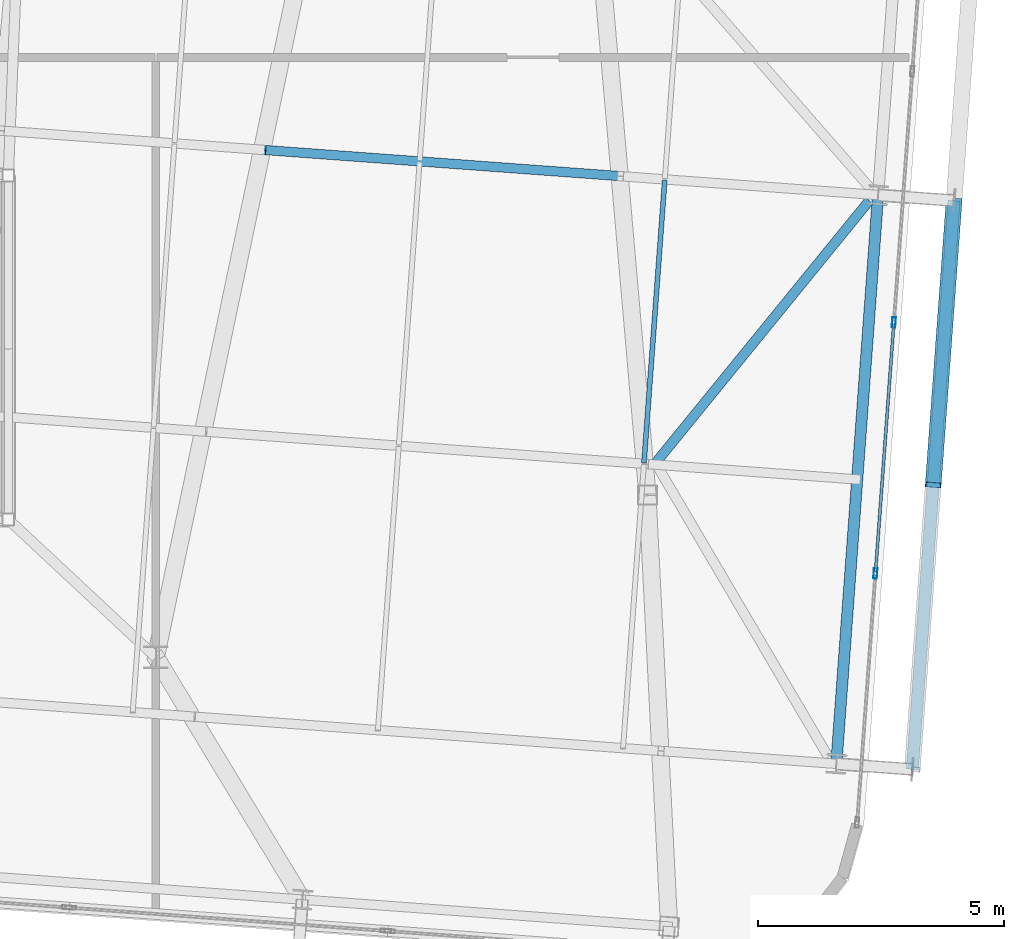
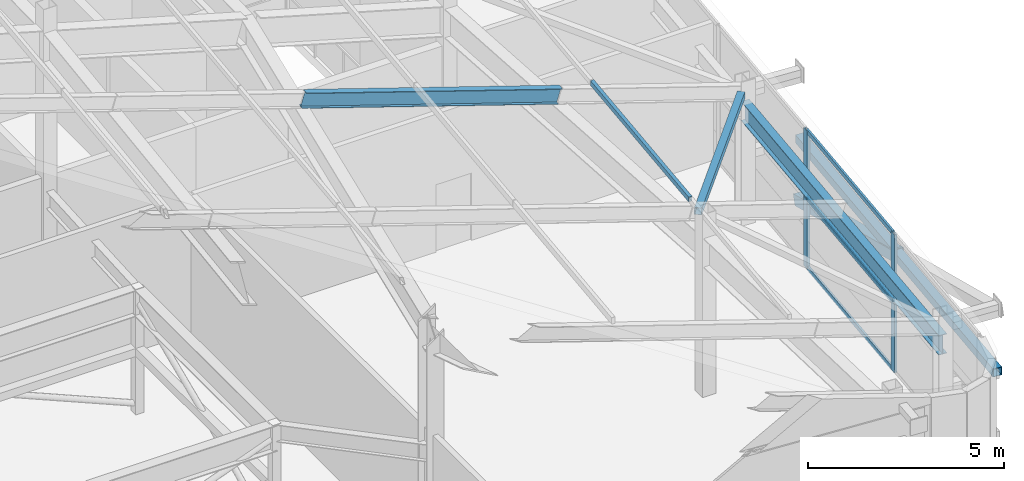
# One storey, part 22 of 56: 13 members, 1 beam, 2 elements without a shape of their own.
"""IFC4 building model written with IfcOpenShell, lengths in metres."""

from ifc_helpers import new_model, si_unit, direction, frame, origin, origin_2d, place, context, subcontext, project, spatial, hollow_rectangle, i_section, extrude, source, transform, mapped, material, layer, layer_set, material_profile, profile_set, type_object, element, aggregate, save


model = new_model("IFC4")

# Units and contexts
model_context = context("Model", 3, precision=1e-05, world=origin(), true_north=direction((0.0, 1.0)))
body_context = subcontext(model_context, "Body", "Model", "MODEL_VIEW")
ifc_project = project(units=[si_unit("LENGTHUNIT", "METRE"), si_unit("AREAUNIT", "SQUARE_METRE"), si_unit("VOLUMEUNIT", "CUBIC_METRE"), si_unit("PLANEANGLEUNIT", "RADIAN"), si_unit("MASSUNIT", "GRAM", prefix="KILO")], contexts=[model_context])

# Site, building, storey
site_placement = place(None, origin())
site = spatial("IfcSite", under=ifc_project, at=site_placement, CompositionType="ELEMENT")
building_placement = place(site_placement, origin())
building = spatial("IfcBuilding", under=site, at=building_placement, Name="Taldren Reach Tower", CompositionType="ELEMENT")
storey_placement = place(building_placement, frame((0.0, 0.0, 253.050048828125)))
storey = spatial("IfcBuildingStorey", under=building, at=storey_placement, Name="L77", CompositionType="ELEMENT", Elevation=253.050048828125)

# Member
ifc_material_1 = material(Name="Steel Gr 350 (C350L0)", Category="steel")
ifc_material_profile_1 = material_profile(ifc_material_1, hollow_rectangle(XDim=0.25, YDim=0.25, WallThickness=0.010009765625, at=origin_2d()), Name="250x250x10.0SHS")
ifc_profile_set_1 = profile_set([ifc_material_profile_1], Name="Steel Gr 350 (C350L0)")
member_type_1 = type_object("IfcMemberType", Name="MB-POST250", PredefinedType="POST", material=ifc_profile_set_1)
shared_shape_1 = source(origin(), body_context, "Body", "SweptSolid", [
    extrude(hollow_rectangle(XDim=0.25, YDim=0.25, WallThickness=0.010009765625, at=origin_2d()), origin(), (0.0, 0.0, 1.0), 11.60009765625),
])
member_1_placement = place(storey_placement, frame((57.3876953125, 6.91748046875, 2.10986328125), z_axis=(0.073221234109, 0.997315722766, 0.0), x_axis=(-0.997315722766, 0.073221234109, 0.0)))
element("IfcMember", 1, at=member_1_placement, inside=storey, type_object=member_type_1, Name="Exoskeleton mid-height ring chord B5-E1 L77", PredefinedType="POST", context=body_context, shape_type="MappedRepresentation", body=[
    mapped(shared_shape_1, transform((0.0, 0.0, 0.0), scale=1.0)),
])

# Beam
ifc_material_2 = material(Name="Steel Gr 350 (350PLUS)", Category="steel")
ifc_material_profile_2 = material_profile(ifc_material_2, i_section(OverallWidth=0.22900390625, OverallDepth=0.612060546875, WebThickness=0.011962890625, FlangeThickness=0.01953125, at=origin_2d()), Name="610UB125")
ifc_profile_set_2 = profile_set([ifc_material_profile_2], Name="Steel Gr 350 (350PLUS)")
beam_type = type_object("IfcBeamType", Name="BM-UB610A", PredefinedType="BEAM", material=ifc_profile_set_2)
shared_shape_2 = source(origin(), body_context, "Body", "SweptSolid", [
    extrude(i_section(OverallWidth=0.22900390625, OverallDepth=0.612060546875, WebThickness=0.011962890625, FlangeThickness=0.01953125, at=origin_2d()), origin(), (0.0, 0.0, 1.0), 11.60009765625),
])
beam_placement = place(storey_placement, frame((55.841796875, 7.031005859375, 3.44287109375), z_axis=(0.073242167855, 0.997314185625, 0.0), x_axis=(-0.997314185625, 0.073242167855, 0.0)))
element("IfcBeam", 2, at=beam_placement, inside=storey, type_object=beam_type, Name="Crown gable header girder E1", PredefinedType="BEAM", context=body_context, shape_type="MappedRepresentation", body=[
    mapped(shared_shape_2, transform((0.0, 0.0, 0.0), scale=1.0)),
])

# Members
ifc_material_profile_3 = material_profile(ifc_material_2, i_section(OverallWidth=0.19091796875, OverallDepth=0.4599609375, WebThickness=0.010009765625, FlangeThickness=0.01611328125, at=origin_2d()), Name="460UB82.1")
ifc_profile_set_3 = profile_set([ifc_material_profile_3], Name="Steel Gr 350 (350PLUS)")
member_type_2 = type_object("IfcMemberType", Name="MB-RAF460", PredefinedType="RAFTER", material=ifc_profile_set_3)
shared_shape_3 = source(origin(), body_context, "Body", "SweptSolid", [
    extrude(i_section(OverallWidth=0.19091796875, OverallDepth=0.4599609375, WebThickness=0.010009765625, FlangeThickness=0.01611328125, at=origin_2d()), origin(), (0.0, 0.0, 1.0), 7.556640625),
])
member_2_placement = place(storey_placement, frame((51.421142578125, 18.98681640625, 5.52685546875), z_axis=(-0.958704329873, 0.070398892458, 0.275553994389), x_axis=(-0.073234107309, -0.997314777554, 0.0)))
element("IfcMember", 3, at=member_2_placement, inside=storey, type_object=member_type_2, Name="Crown sloped rafter RF-3.2", PredefinedType="RAFTER", context=body_context, shape_type="MappedRepresentation", body=[
    mapped(shared_shape_3, transform((0.0, 0.0, 0.0), scale=1.0)),
])
ifc_material_profile_4 = material_profile(ifc_material_1, hollow_rectangle(XDim=0.10009765625, YDim=0.14990234375, WallThickness=0.0048828125, at=origin_2d()), Name="150x100x5.0RHS")
ifc_profile_set_4 = profile_set([ifc_material_profile_4], Name="Steel Gr 350 (C350L0)")
member_type_3 = type_object("IfcMemberType", Name="MB-PUR150", PredefinedType="PURLIN", material=ifc_profile_set_4)
shared_shape_4 = source(origin(), body_context, "Body", "SweptSolid", [
    extrude(hollow_rectangle(XDim=0.10009765625, YDim=0.14990234375, WallThickness=0.0048828125, at=origin_2d()), origin(), (0.0, 0.0, 1.0), 5.769775390625),
])
member_3_placement = place(storey_placement, frame((51.92919921875, 13.14892578125, 5.63525390625), z_axis=(0.073243558698, 0.997314083481, 0.0), x_axis=(-0.997314083481, 0.073243558698, 0.0)))
element("IfcMember", 4, at=member_3_placement, inside=storey, type_object=member_type_3, Name="Crown roof purlin PR-8.2", PredefinedType="PURLIN", context=body_context, shape_type="MappedRepresentation", body=[
    mapped(shared_shape_4, transform((0.0, 0.0, 0.0), scale=1.0)),
])
ifc_material_profile_5 = material_profile(ifc_material_1, hollow_rectangle(XDim=0.199951171875, YDim=0.199951171875, WallThickness=0.009033203125, at=origin_2d()), Name="200x200x9.0SHS")
ifc_profile_set_5 = profile_set([ifc_material_profile_5], Name="Steel Gr 350 (C350L0)")
member_type_4 = type_object("IfcMemberType", Name="BR-ROOF-200", PredefinedType="BRACE", material=ifc_profile_set_5)
shared_shape_5 = source(origin(), body_context, "Body", "SweptSolid", [
    extrude(hollow_rectangle(XDim=0.199951171875, YDim=0.199951171875, WallThickness=0.009033203125, at=origin_2d()), origin(), (0.0, 0.0, 1.0), 6.994140625),
])
member_4_placement = place(storey_placement, frame((56.50146484375, 18.473388671875, 4.0634765625), z_axis=(-0.623300185399, -0.764987878753, 0.162143221392), x_axis=(0.775246534078, -0.631658777664, 0.0)))
element("IfcMember", 5, at=member_4_placement, inside=storey, type_object=member_type_4, Name="Crown sloped roof wind brace RB-2", PredefinedType="BRACE", context=body_context, shape_type="MappedRepresentation", body=[
    mapped(shared_shape_5, transform((0.0, 0.0, 0.0), scale=1.0)),
])
ifc_material_3 = material(Name="Steel Gr 450 (C450L0)", Category="steel")
ifc_material_profile_6 = material_profile(ifc_material_3, hollow_rectangle(XDim=0.324951171875, YDim=0.324951171875, WallThickness=0.0126953125, at=origin_2d()), Name="325x325x12.7SHS")
ifc_profile_set_6 = profile_set([ifc_material_profile_6], Name="Steel Gr 450 (C450L0)")
member_type_5 = type_object("IfcMemberType", Name="MB-BR324", PredefinedType="BRACE", material=ifc_profile_set_6)
shared_shape_6 = source(origin(), body_context, "Body", "SweptSolid", [
    extrude(hollow_rectangle(XDim=0.324951171875, YDim=0.324951171875, WallThickness=0.0126953125, at=origin_2d()), origin(), (0.0, 0.0, 1.0), 6.10009765625),
])
member_5_placement = place(storey_placement, frame((58.237060546875, 18.486328125, 0.219970703125), z_axis=(-0.069638510717, -0.948244387595, 0.309811328425), x_axis=(0.997314185625, -0.073242167855, 0.0)))
element("IfcMember", 6, at=member_5_placement, inside=storey, type_object=member_type_5, Name="Exoskeleton Diagrid Brace B5-E1 L77", PredefinedType="BRACE", context=body_context, shape_type="MappedRepresentation", body=[
    mapped(shared_shape_6, transform((0.0, 0.0, 0.0), scale=1.0)),
])

# Curtain wall, members
ifc_material_4 = material(Name="Aluminium and Low-E Glass Unitised System", Category="aluminium")
ifc_layer = layer(ifc_material_4, 0.159912109375)
ifc_layer_set = layer_set([ifc_layer], Name="Aluminium and Low-E Glass Unitised System")
curtain_wall_type = type_object("IfcCurtainWallType", Name="CW-SYS-8", PredefinedType="NOTDEFINED", material=ifc_layer_set)
curtain_wall_1_placement = place(storey_placement, origin())
curtain_wall_1 = element("IfcCurtainWall", 7, at=curtain_wall_1_placement, inside=storey, type_object=curtain_wall_type, Name="Unitised curtain wall CW8-L77-E", PredefinedType="NOTDEFINED")
ifc_material_5 = material(Name="Anodised Aluminium 6063-T6", Category="aluminium")
ifc_material_profile_7 = material_profile(ifc_material_5, hollow_rectangle(XDim=0.074951171875, YDim=0.2099609375, WallThickness=0.00439453125, at=origin_2d()), Name="ALU-210x75x4.5RHS")
ifc_profile_set_7 = profile_set([ifc_material_profile_7], Name="Anodised Aluminium 6063-T6")
member_type_6 = type_object("IfcMemberType", Name="CW-MUL-200", PredefinedType="MULLION", material=ifc_profile_set_7)
shared_shape_7 = source(origin(), body_context, "Body", "SweptSolid", [
    extrude(hollow_rectangle(XDim=0.074951171875, YDim=0.2099609375, WallThickness=0.00439453125, at=origin_2d()), origin(), (0.0, 0.0, 1.0), 2.152587890625),
])
member_6_placement = place(storey_placement, frame((56.637451171875, 10.903076171875, 0.0), z_axis=(0.0, 0.0, 1.0), x_axis=(-0.997314470951, 0.073238282558, 0.0)))
member_6 = element("IfcMember", 8, at=member_6_placement, type_object=member_type_6, Name="CW-8 mullion 2", PredefinedType="MULLION", context=body_context, shape_type="MappedRepresentation", body=[
    mapped(shared_shape_7, transform((0.0, 0.0, 0.0), scale=1.0)),
])
member_7_placement = place(storey_placement, frame((57.012451171875, 16.00927734375, 0.0), z_axis=(0.0, 0.0, 1.0), x_axis=(-0.997314470951, 0.073238282558, 0.0)))
member_7 = element("IfcMember", 9, at=member_7_placement, type_object=member_type_6, Name="CW-8 mullion 3", PredefinedType="MULLION", context=body_context, shape_type="MappedRepresentation", body=[
    mapped(shared_shape_7, transform((0.0, 0.0, 0.0), scale=1.0)),
])
ifc_material_profile_8 = material_profile(ifc_material_5, hollow_rectangle(XDim=0.06005859375, YDim=0.135009765625, WallThickness=0.00341796875, at=origin_2d()), Name="ALU-135x60x3.5RHS")
ifc_profile_set_8 = profile_set([ifc_material_profile_8], Name="Anodised Aluminium 6063-T6")
member_type_7 = type_object("IfcMemberType", Name="CW-TRN-150", PredefinedType="USERDEFINED", material=ifc_profile_set_8)
shared_shape_8 = source(origin(), body_context, "Body", "SweptSolid", [
    extrude(hollow_rectangle(XDim=0.06005859375, YDim=0.135009765625, WallThickness=0.00341796875, at=origin_2d()), origin(), (0.0, 0.0, 1.0), 5.045166015625),
])
member_8_placement = place(storey_placement, frame((56.64013671875, 10.9404296875, 0.030029296875), z_axis=(0.073265615485, 0.997312463367, 0.0), x_axis=(-0.997312463367, 0.073265615485, 0.0)))
member_8 = element("IfcMember", 10, at=member_8_placement, type_object=member_type_7, Name="CW-8 transom 2.1", ObjectType="TRANSOM", PredefinedType="USERDEFINED", context=body_context, shape_type="MappedRepresentation", body=[
    mapped(shared_shape_8, transform((0.0, 0.0, 0.0), scale=1.0)),
])
member_9_placement = place(storey_placement, frame((56.64013671875, 10.9404296875, 2.12255859375), z_axis=(0.073265615485, 0.997312463367, 0.0), x_axis=(-0.997312463367, 0.073265615485, 0.0)))
member_9 = element("IfcMember", 11, at=member_9_placement, type_object=member_type_7, Name="CW-8 transom 2.2", ObjectType="TRANSOM", PredefinedType="USERDEFINED", context=body_context, shape_type="MappedRepresentation", body=[
    mapped(shared_shape_8, transform((0.0, 0.0, 0.0), scale=1.0)),
])
aggregate(curtain_wall_1, [member_6, member_7, member_8, member_9])

curtain_wall_2_placement = place(storey_placement, origin())
curtain_wall_2 = element("IfcCurtainWall", 12, at=curtain_wall_2_placement, inside=storey, type_object=curtain_wall_type, Name="Unitised curtain wall CW8-L77-E-T2", PredefinedType="NOTDEFINED")
member_10_placement = place(storey_placement, frame((56.64013671875, 10.9404296875, 2.1826171875), z_axis=(0.073265615485, 0.997312463367, 0.0), x_axis=(-0.997312463367, 0.073265615485, 0.0)))
member_10 = element("IfcMember", 13, at=member_10_placement, type_object=member_type_7, Name="CW-8 transom 2.1", ObjectType="TRANSOM", PredefinedType="USERDEFINED", context=body_context, shape_type="MappedRepresentation", body=[
    mapped(shared_shape_8, transform((0.0, 0.0, 0.0), scale=1.0)),
])
member_11_placement = place(storey_placement, frame((56.64013671875, 10.9404296875, 4.275146484375), z_axis=(0.073265615485, 0.997312463367, 0.0), x_axis=(-0.997312463367, 0.073265615485, 0.0)))
member_11 = element("IfcMember", 14, at=member_11_placement, type_object=member_type_7, Name="CW-8 transom 2.2", ObjectType="TRANSOM", PredefinedType="USERDEFINED", context=body_context, shape_type="MappedRepresentation", body=[
    mapped(shared_shape_8, transform((0.0, 0.0, 0.0), scale=1.0)),
])
shared_shape_9 = source(origin(), body_context, "Body", "SweptSolid", [
    extrude(hollow_rectangle(XDim=0.074951171875, YDim=0.2099609375, WallThickness=0.00439453125, at=origin_2d()), origin(), (0.0, 0.0, 1.0), 2.15234375),
])
member_12_placement = place(storey_placement, frame((56.637451171875, 10.903076171875, 2.152587890625), z_axis=(0.0, 0.0, 1.0), x_axis=(-0.997314470951, 0.073238282558, 0.0)))
member_12 = element("IfcMember", 15, at=member_12_placement, type_object=member_type_6, Name="CW-8 mullion 2", PredefinedType="MULLION", context=body_context, shape_type="MappedRepresentation", body=[
    mapped(shared_shape_9, transform((0.0, 0.0, 0.0), scale=1.0)),
])
member_13_placement = place(storey_placement, frame((57.012451171875, 16.00927734375, 2.152587890625), z_axis=(0.0, 0.0, 1.0), x_axis=(-0.997314470951, 0.073238282558, 0.0)))
member_13 = element("IfcMember", 16, at=member_13_placement, type_object=member_type_6, Name="CW-8 mullion 3", PredefinedType="MULLION", context=body_context, shape_type="MappedRepresentation", body=[
    mapped(shared_shape_9, transform((0.0, 0.0, 0.0), scale=1.0)),
])
aggregate(curtain_wall_2, [member_12, member_13, member_10, member_11])

save(model, "model.ifc")
